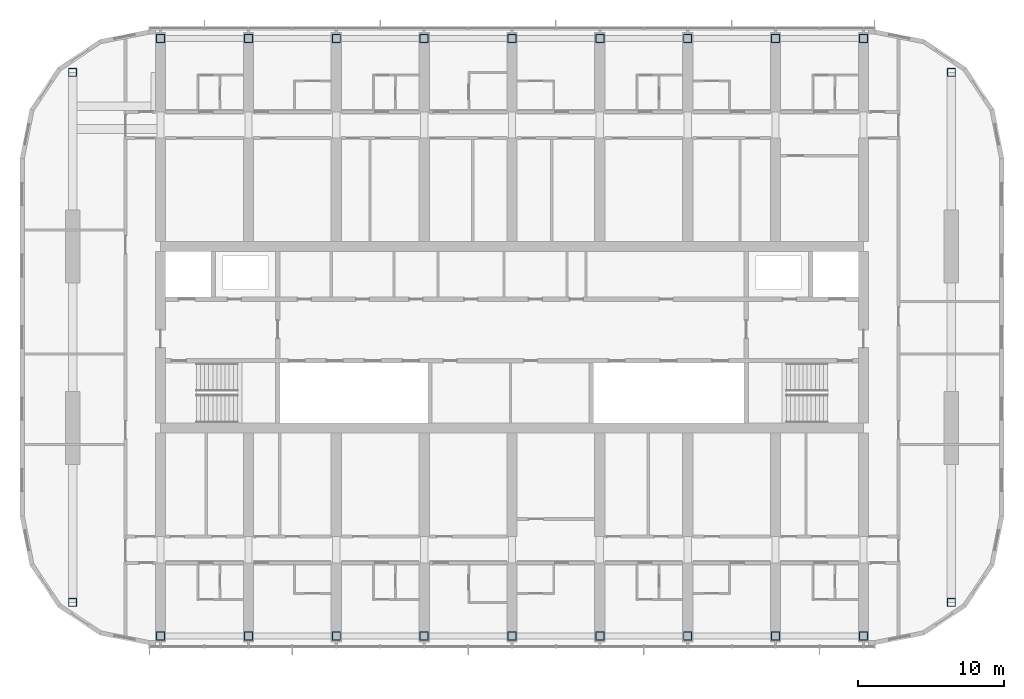
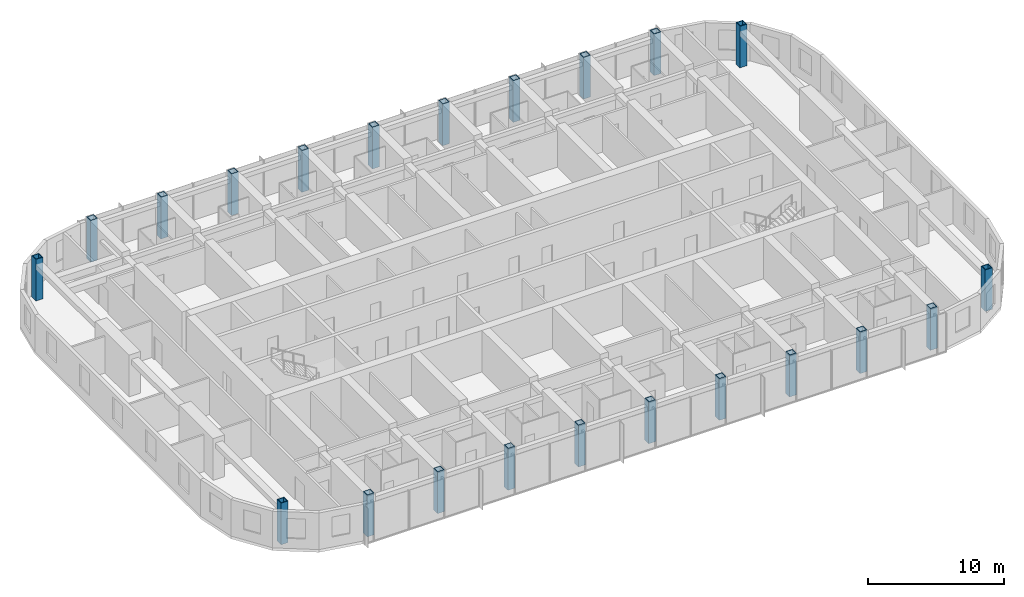
# One storey, part 1 of 23: 22 columns.
"""IFC4 building model written with IfcOpenShell, lengths in metres."""

from ifc_helpers import new_model, si_unit, direction, frame, origin, origin_2d, place, context, subcontext, project, spatial, hollow_rectangle, extrude, material, material_profile, profile_set, type_object, element, save


model = new_model("IFC4")

# Units and contexts
model_context = context("Model", 3, precision=1e-05, world=origin(), true_north=direction((0.0, 1.0)))
body_context = subcontext(model_context, "Body", "Model", "MODEL_VIEW")
ifc_project = project(units=[si_unit("LENGTHUNIT", "METRE"), si_unit("AREAUNIT", "SQUARE_METRE"), si_unit("VOLUMEUNIT", "CUBIC_METRE"), si_unit("PLANEANGLEUNIT", "RADIAN"), si_unit("MASSUNIT", "GRAM", prefix="KILO")], contexts=[model_context])

# Site, building, storey
site_placement = place(None, origin())
site = spatial("IfcSite", under=ifc_project, at=site_placement, CompositionType="ELEMENT")
building_placement = place(site_placement, origin())
building = spatial("IfcBuilding", under=site, at=building_placement, Name="Orbita Commons", CompositionType="ELEMENT")
storey_placement = place(building_placement, frame((0.0, 0.0, 227.800048828125)))
storey = spatial("IfcBuildingStorey", under=building, at=storey_placement, Name="L56", CompositionType="ELEMENT", Elevation=227.800048828125)

# Columns
ifc_material = material(Name="Steel ASTM A572 Gr 50 welded plate", Category="steel")
ifc_material_profile = material_profile(ifc_material, hollow_rectangle(XDim=0.60009765625, YDim=0.60009765625, WallThickness=0.06005859375, at=origin_2d()), Name="BOX 600x600x60")
ifc_profile_set = profile_set([ifc_material_profile], Name="Steel ASTM A572 Gr 50 welded plate")
column_type = type_object("IfcColumnType", Name="Steel column BOX 600x600x60", PredefinedType="COLUMN", material=ifc_profile_set)
for number, where, z_axis, x_axis, name in (
    (1, (18.0, 11.60009765625, 0.0), (0.0, 0.0, 1.0), (1.0, 0.0, 0.0), "Column 4/B L56"),
    (2, (18.0, 52.39990234375, 0.0), (0.0, 0.0, 1.0), (1.0, 0.0, 0.0), "Column 4/E L56"),
    (3, (24.0, 11.60009765625, 0.0), (0.0, 0.0, 1.0), (1.0, 0.0, 0.0), "Column 5/B L56"),
    (4, (24.0, 52.39990234375, 0.0), (0.0, 0.0, 1.0), (1.0, 0.0, 0.0), "Column 5/E L56"),
    (5, (30.0, 11.60009765625, 0.0), (0.0, 0.0, 1.0), (1.0, 0.0, 0.0), "Column 6/B L56"),
    (6, (30.0, 52.39990234375, 0.0), (0.0, 0.0, 1.0), (1.0, 0.0, 0.0), "Column 6/E L56"),
    (7, (36.0, 11.60009765625, 0.0), (0.0, 0.0, 1.0), (1.0, 0.0, 0.0), "Column 7/B L56"),
    (8, (36.0, 52.39990234375, 0.0), (0.0, 0.0, 1.0), (1.0, 0.0, 0.0), "Column 7/E L56"),
    (9, (42.0, 11.60009765625, 0.0), (0.0, 0.0, 1.0), (1.0, 0.0, 0.0), "Column 8/B L56"),
    (10, (42.0, 52.39990234375, 0.0), (0.0, 0.0, 1.0), (1.0, 0.0, 0.0), "Column 8/E L56"),
    (11, (48.0, 11.60009765625, 0.0), (0.0, 0.0, 1.0), (1.0, 0.0, 0.0), "Column 9/B L56"),
    (12, (48.0, 52.39990234375, 0.0), (0.0, 0.0, 1.0), (1.0, 0.0, 0.0), "Column 9/E L56"),
    (13, (54.0, 11.60009765625, 0.0), (0.0, 0.0, 1.0), (1.0, 0.0, 0.0), "Column 10/B L56"),
    (14, (54.0, 52.39990234375, 0.0), (0.0, 0.0, 1.0), (1.0, 0.0, 0.0), "Column 10/E L56"),
    (15, (60.0, 11.60009765625, 0.0), (0.0, 0.0, 1.0), (1.0, 0.0, 0.0), "Column 11/B L56"),
    (16, (60.0, 52.39990234375, 0.0), (0.0, 0.0, 1.0), (1.0, 0.0, 0.0), "Column 11/E L56"),
    (17, (66.0, 11.60009765625, 0.0), (0.0, 0.0, 1.0), (1.0, 0.0, 0.0), "Column 12/B L56"),
    (18, (66.0, 52.39990234375, 0.0), (0.0, 0.0, 1.0), (1.0, 0.0, 0.0), "Column 12/E L56"),
    (19, (12.0, 13.89990234375, 0.0), (0.0, 0.0, 1.0), (1.0, 0.0, 0.0), "Column 3/13.9 L56"),
    (20, (12.0, 50.10009765625, 0.0), (0.0, 0.0, 1.0), (1.0, 0.0, 0.0), "Column 3/50.1 L56"),
    (21, (72.0, 13.89990234375, 0.0), (0.0, 0.0, 1.0), (1.0, 0.0, 0.0), "Column 13/13.9 L56"),
    (22, (72.0, 50.10009765625, 0.0), (0.0, 0.0, 1.0), (1.0, 0.0, 0.0), "Column 13/50.1 L56"),
):
    element("IfcColumn", number, at=place(storey_placement, frame(where, z_axis=z_axis, x_axis=x_axis)), inside=storey, type_object=column_type, Name=name, PredefinedType="COLUMN", context=body_context, shape_type="SweptSolid", body=[
        extrude(hollow_rectangle(XDim=0.60009765625, YDim=0.60009765625, WallThickness=0.06005859375, at=origin_2d()), origin(), (0.0, 0.0, 1.0), 3.75),
    ])

save(model, "model.ifc")
